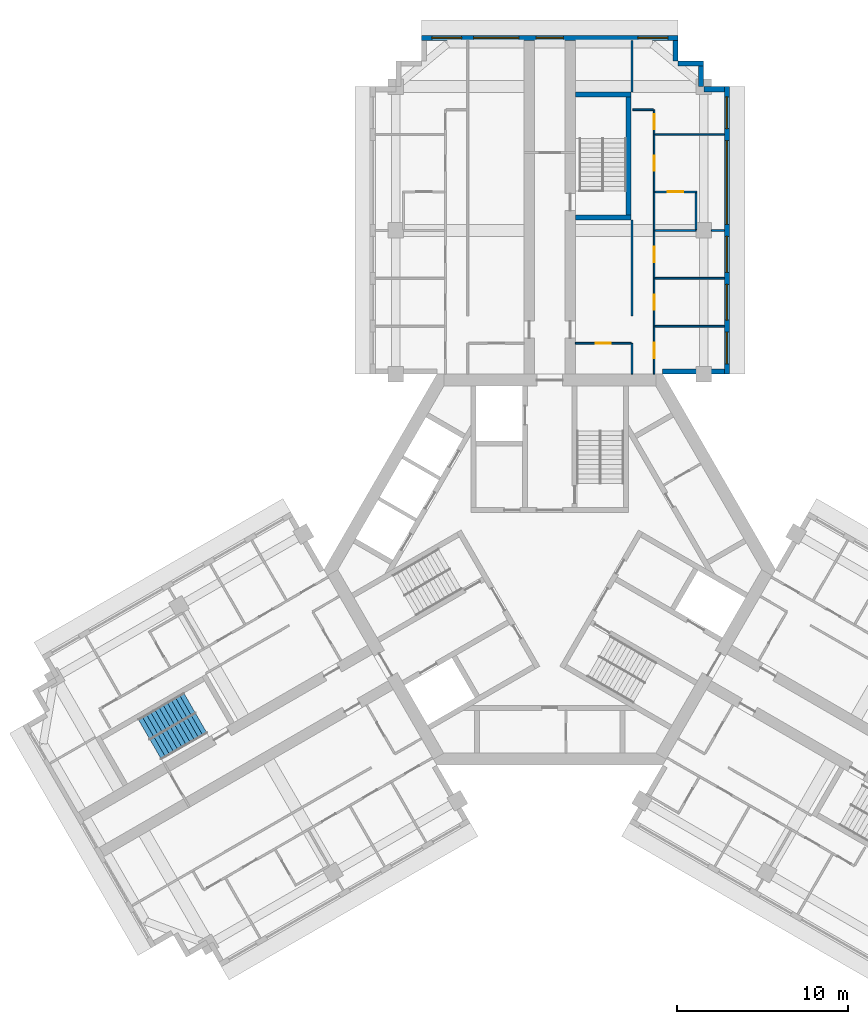
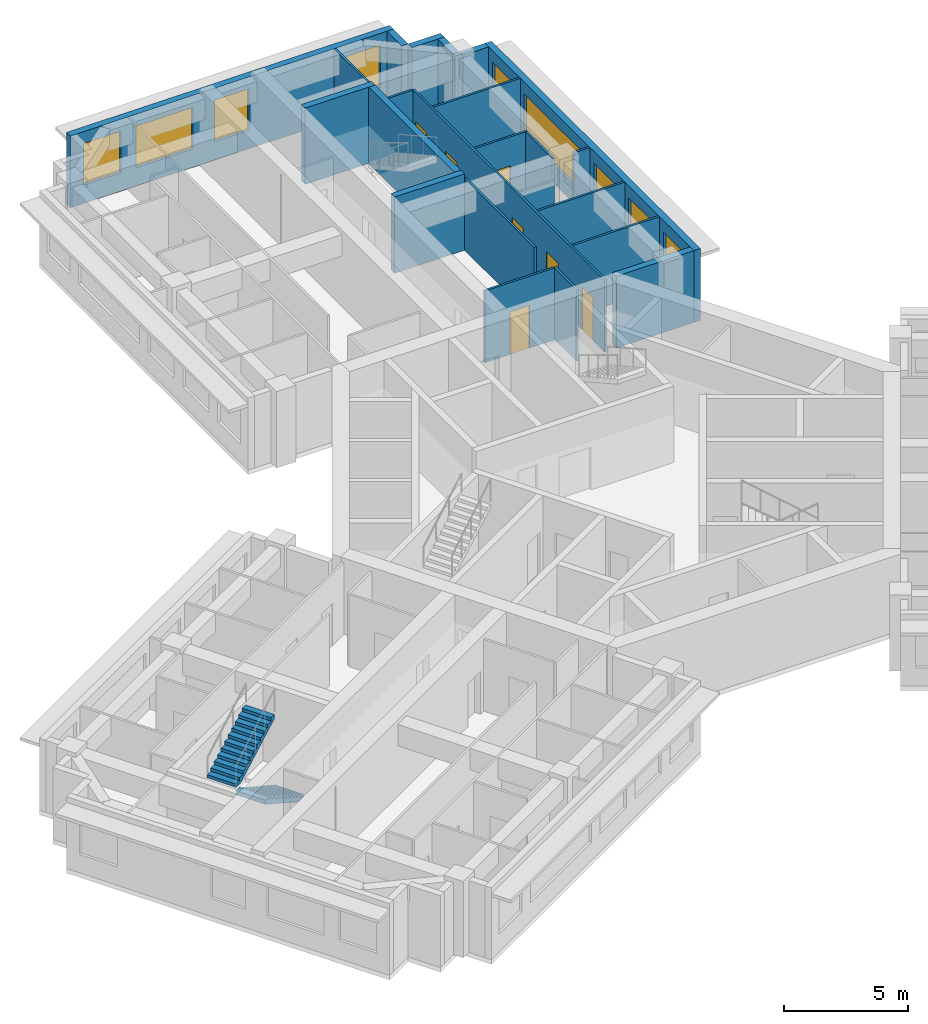
# One storey, part 8 of 10: 23 walls, 9 windows, 7 doors, 2 stair flights, 16 openings, 1 element without a shape of its own.
"""IFC4 building model written with IfcOpenShell, lengths in metres."""

from ifc_helpers import new_model, si_unit, direction, frame, frame_2d, origin, place, context, subcontext, project, spatial, polyline, rectangle, outline, extrude, material, layer, layer_set, type_object, element, fill, aggregate, save


model = new_model("IFC4")

# Units and contexts
model_context = context("Model", 3, precision=1e-05, world=origin(), true_north=direction((0.0, 1.0)))
body_context = subcontext(model_context, "Body", "Model", "MODEL_VIEW")
ifc_project = project(units=[si_unit("LENGTHUNIT", "METRE"), si_unit("AREAUNIT", "SQUARE_METRE"), si_unit("VOLUMEUNIT", "CUBIC_METRE"), si_unit("PLANEANGLEUNIT", "RADIAN"), si_unit("MASSUNIT", "GRAM", prefix="KILO")], contexts=[model_context])

# Site, building, storey
site_placement = place(None, origin())
site = spatial("IfcSite", under=ifc_project, at=site_placement, CompositionType="ELEMENT")
building_placement = place(site_placement, origin())
building = spatial("IfcBuilding", under=site, at=building_placement, Name="Impinga Residences", CompositionType="ELEMENT")
storey_placement = place(building_placement, frame((0.0, 0.0, 267.25)))
storey = spatial("IfcBuildingStorey", under=building, at=storey_placement, Name="L67", CompositionType="ELEMENT", Elevation=267.25)

# Wall, openings, windows
ifc_material_1 = material(Name="Terracotta rainscreen on blockwork", Category="masonry")
ifc_layer_1 = layer(ifc_material_1, 0.300048828125)
ifc_layer_set_1 = layer_set([ifc_layer_1], Name="EW1 external wall, terracotta rainscreen on blockwork 300")
wall_type_1 = type_object("IfcWallType", Name="EW1 external wall, terracotta rainscreen on blockwork 300", PredefinedType="SOLIDWALL", material=ifc_layer_set_1)
wall_1_placement = place(storey_placement, frame((-7.5, 31.08154296875, 0.0), z_axis=(0.0, 0.0, 1.0), x_axis=(1.0, 0.0, 0.0)))
wall_1 = element("IfcWall", 1, at=wall_1_placement, inside=storey, type_object=wall_type_1, Name="External wall EW1 L67", PredefinedType="SOLIDWALL", context=body_context, shape_type="SweptSolid", body=[
    extrude(rectangle(XDim=15.0, YDim=0.300048828125, at=frame_2d((7.5, 0.0))), origin(), (0.0, 0.0, 1.0), 3.530029296875),
])
opening_1_placement = place(wall_1_placement, frame((0.60009765625, 0.0, 0.89990234375)))
opening_1 = element("IfcOpeningElement", 2, at=opening_1_placement, cuts=wall_1, Name="Opening W1", PredefinedType="OPENING", context=body_context, shape_type="SweptSolid", body=[
    extrude(rectangle(XDim=1.75, YDim=2.050048828125, at=frame_2d((0.875, 1.02490234375))), frame((0.0, 0.159912109375, 0.0), z_axis=(0.0, -1.0, 0.0), x_axis=(1.0, 0.0, 0.0)), (0.0, 0.0, 1.0), 0.320068359375),
])
opening_2_placement = place(wall_1_placement, frame((3.050048828125, 0.0, 0.89990234375)))
opening_2 = element("IfcOpeningElement", 3, at=opening_2_placement, cuts=wall_1, Name="Opening W18", PredefinedType="OPENING", context=body_context, shape_type="SweptSolid", body=[
    extrude(rectangle(XDim=2.64990234375, YDim=2.050048828125, at=frame_2d((1.324951171875, 1.02490234375))), frame((0.0, 0.159912109375, 0.0), z_axis=(0.0, -1.0, 0.0), x_axis=(1.0, 0.0, 0.0)), (0.0, 0.0, 1.0), 0.320068359375),
])
opening_3_placement = place(wall_1_placement, frame((6.699951171875, 0.0, 0.89990234375)))
opening_3 = element("IfcOpeningElement", 4, at=opening_3_placement, cuts=wall_1, Name="Opening W19", PredefinedType="OPENING", context=body_context, shape_type="SweptSolid", body=[
    extrude(rectangle(XDim=1.60009765625, YDim=2.050048828125, at=frame_2d((0.800048828125, 1.02490234375))), frame((0.0, 0.159912109375, 0.0), z_axis=(0.0, -1.0, 0.0), x_axis=(1.0, 0.0, 0.0)), (0.0, 0.0, 1.0), 0.320068359375),
])
opening_4_placement = place(wall_1_placement, frame((12.64990234375, 0.0, 0.89990234375)))
opening_4 = element("IfcOpeningElement", 5, at=opening_4_placement, cuts=wall_1, Name="Opening W1", PredefinedType="OPENING", context=body_context, shape_type="SweptSolid", body=[
    extrude(rectangle(XDim=1.75, YDim=2.050048828125, at=frame_2d((0.875, 1.02490234375))), frame((0.0, 0.159912109375, 0.0), z_axis=(0.0, -1.0, 0.0), x_axis=(1.0, 0.0, 0.0)), (0.0, 0.0, 1.0), 0.320068359375),
])
ifc_material_2 = material(Name="Aluminium window, clear double glazing", Category="aluminium")
window_type_1 = type_object("IfcWindowType", Name="W1 ribbon window 1750x2050", PartitioningType="SINGLE_PANEL", PredefinedType="WINDOW", material=ifc_material_2)
window_1_placement = place(opening_1_placement, origin())
window_1 = element("IfcWindow", 6, at=window_1_placement, inside=storey, type_object=window_type_1, Name="Window L67", OverallHeight=2.050048828125, OverallWidth=1.75, PartitioningType="SINGLE_PANEL", PredefinedType="WINDOW", context=body_context, shape_type="SweptSolid", body=[
    extrude(rectangle(XDim=1.75, YDim=2.050048828125, at=frame_2d((0.875, 1.02490234375))), frame((0.0, 0.030029296875, 0.0), z_axis=(0.0, -1.0, 0.0), x_axis=(1.0, 0.0, 0.0)), (0.0, 0.0, 1.0), 0.06005859375),
])
fill(opening_1, window_1)
window_2_placement = place(opening_4_placement, origin())
window_2 = element("IfcWindow", 7, at=window_2_placement, inside=storey, type_object=window_type_1, Name="Window L67", OverallHeight=2.050048828125, OverallWidth=1.75, PartitioningType="SINGLE_PANEL", PredefinedType="WINDOW", context=body_context, shape_type="SweptSolid", body=[
    extrude(rectangle(XDim=1.75, YDim=2.050048828125, at=frame_2d((0.875, 1.02490234375))), frame((0.0, 0.030029296875, 0.0), z_axis=(0.0, -1.0, 0.0), x_axis=(1.0, 0.0, 0.0)), (0.0, 0.0, 1.0), 0.06005859375),
])
fill(opening_4, window_2)
window_type_2 = type_object("IfcWindowType", Name="W18 ribbon window 2650x2050", PartitioningType="SINGLE_PANEL", PredefinedType="WINDOW", material=ifc_material_2)
window_3_placement = place(opening_2_placement, origin())
window_3 = element("IfcWindow", 8, at=window_3_placement, inside=storey, type_object=window_type_2, Name="Window L67", OverallHeight=2.050048828125, OverallWidth=2.64990234375, PartitioningType="SINGLE_PANEL", PredefinedType="WINDOW", context=body_context, shape_type="SweptSolid", body=[
    extrude(rectangle(XDim=2.64990234375, YDim=2.050048828125, at=frame_2d((1.324951171875, 1.02490234375))), frame((0.0, 0.030029296875, 0.0), z_axis=(0.0, -1.0, 0.0), x_axis=(1.0, 0.0, 0.0)), (0.0, 0.0, 1.0), 0.06005859375),
])
fill(opening_2, window_3)
window_type_3 = type_object("IfcWindowType", Name="W19 ribbon window 1600x2050", PartitioningType="SINGLE_PANEL", PredefinedType="WINDOW", material=ifc_material_2)
window_4_placement = place(opening_3_placement, origin())
window_4 = element("IfcWindow", 9, at=window_4_placement, inside=storey, type_object=window_type_3, Name="Window L67", OverallHeight=2.050048828125, OverallWidth=1.60009765625, PartitioningType="SINGLE_PANEL", PredefinedType="WINDOW", context=body_context, shape_type="SweptSolid", body=[
    extrude(rectangle(XDim=1.60009765625, YDim=2.050048828125, at=frame_2d((0.800048828125, 1.02490234375))), frame((0.0, 0.030029296875, 0.0), z_axis=(0.0, -1.0, 0.0), x_axis=(1.0, 0.0, 0.0)), (0.0, 0.0, 1.0), 0.06005859375),
])
fill(opening_3, window_4)

# Walls
wall_2_placement = place(storey_placement, frame((7.35009765625, 30.931640625, 0.0), z_axis=(0.0, 0.0, 1.0), x_axis=(0.0, -1.0, 0.0)))
element("IfcWall", 10, at=wall_2_placement, inside=storey, type_object=wall_type_1, Name="External wall EW1 L67", PredefinedType="SOLIDWALL", context=body_context, shape_type="SweptSolid", body=[
    extrude(rectangle(XDim=1.195068359375, YDim=0.300048828125, at=frame_2d((0.59765625, 0.0))), origin(), (0.0, 0.0, 1.0), 3.530029296875),
])
wall_3_placement = place(storey_placement, frame((7.5, 29.58154296875, 0.0), z_axis=(0.0, 0.0, 1.0), x_axis=(1.0, 0.0, 0.0)))
element("IfcWall", 11, at=wall_3_placement, inside=storey, type_object=wall_type_1, Name="External wall EW1 L67", PredefinedType="SOLIDWALL", context=body_context, shape_type="SweptSolid", body=[
    extrude(rectangle(XDim=1.5, YDim=0.300048828125, at=frame_2d((0.75, 0.0))), origin(), (0.0, 0.0, 1.0), 3.530029296875),
])
wall_4_placement = place(storey_placement, frame((8.85009765625, 29.431640625, 0.0), z_axis=(0.0, 0.0, 1.0), x_axis=(0.0, -1.0, 0.0)))
element("IfcWall", 12, at=wall_4_placement, inside=storey, type_object=wall_type_1, Name="External wall EW1 L67", PredefinedType="SOLIDWALL", context=body_context, shape_type="SweptSolid", body=[
    extrude(rectangle(XDim=1.2001953125, YDim=0.300048828125, at=frame_2d((0.60009765625, 0.0))), origin(), (0.0, 0.0, 1.0), 3.530029296875),
])
wall_5_placement = place(storey_placement, frame((9.0048828125, 28.08154296875, 0.0), z_axis=(0.0, 0.0, 1.0), x_axis=(1.0, 0.0, 0.0)))
element("IfcWall", 13, at=wall_5_placement, inside=storey, type_object=wall_type_1, Name="External wall EW1 L67", PredefinedType="SOLIDWALL", context=body_context, shape_type="SweptSolid", body=[
    extrude(rectangle(XDim=1.195068359375, YDim=0.300048828125, at=frame_2d((0.59765625, 0.0))), origin(), (0.0, 0.0, 1.0), 3.530029296875),
])

# Wall, openings, windows
wall_6_placement = place(storey_placement, frame((10.35009765625, 28.2314453125, 0.0), z_axis=(0.0, 0.0, 1.0), x_axis=(0.0, -1.0, 0.0)))
wall_6 = element("IfcWall", 14, at=wall_6_placement, inside=storey, type_object=wall_type_1, Name="External wall EW1 L67", PredefinedType="SOLIDWALL", context=body_context, shape_type="SweptSolid", body=[
    extrude(rectangle(XDim=16.7998046875, YDim=0.300048828125, at=frame_2d((8.39990234375, 0.0))), origin(), (0.0, 0.0, 1.0), 3.530029296875),
])
opening_5_placement = place(wall_6_placement, frame((0.60009765625, 0.0, 0.89990234375)))
opening_5 = element("IfcOpeningElement", 15, at=opening_5_placement, cuts=wall_6, Name="Opening W15", PredefinedType="OPENING", context=body_context, shape_type="SweptSolid", body=[
    extrude(rectangle(XDim=1.85009765625, YDim=2.050048828125, at=frame_2d((0.925048828125, 1.02490234375))), frame((0.0, 0.159912109375, 0.0), z_axis=(0.0, -1.0, 0.0), x_axis=(1.0, 0.0, 0.0)), (0.0, 0.0, 1.0), 0.320068359375),
])
opening_6_placement = place(wall_6_placement, frame((3.14990234375, 0.0, 0.89990234375)))
opening_6 = element("IfcOpeningElement", 16, at=opening_6_placement, cuts=wall_6, Name="Opening W16", PredefinedType="OPENING", context=body_context, shape_type="SweptSolid", body=[
    extrude(rectangle(XDim=4.89990234375, YDim=2.050048828125, at=frame_2d((2.449951171875, 1.02490234375))), frame((0.0, 0.159912109375, 0.0), z_axis=(0.0, -1.0, 0.0), x_axis=(1.0, 0.0, 0.0)), (0.0, 0.0, 1.0), 0.320068359375),
])
opening_7_placement = place(wall_6_placement, frame((8.75, 0.0, 0.89990234375)))
opening_7 = element("IfcOpeningElement", 17, at=opening_7_placement, cuts=wall_6, Name="Opening W9", PredefinedType="OPENING", context=body_context, shape_type="SweptSolid", body=[
    extrude(rectangle(XDim=2.10009765625, YDim=2.050048828125, at=frame_2d((1.050048828125, 1.02490234375))), frame((0.0, 0.159912109375, 0.0), z_axis=(0.0, -1.0, 0.0), x_axis=(1.0, 0.0, 0.0)), (0.0, 0.0, 1.0), 0.320068359375),
])
opening_8_placement = place(wall_6_placement, frame((11.550048828125, 0.0, 0.89990234375)))
opening_8 = element("IfcOpeningElement", 18, at=opening_8_placement, cuts=wall_6, Name="Opening W9", PredefinedType="OPENING", context=body_context, shape_type="SweptSolid", body=[
    extrude(rectangle(XDim=2.10009765625, YDim=2.050048828125, at=frame_2d((1.050048828125, 1.02490234375))), frame((0.0, 0.159912109375, 0.0), z_axis=(0.0, -1.0, 0.0), x_axis=(1.0, 0.0, 0.0)), (0.0, 0.0, 1.0), 0.320068359375),
])
opening_9_placement = place(wall_6_placement, frame((14.35009765625, 0.0, 0.89990234375)))
opening_9 = element("IfcOpeningElement", 19, at=opening_9_placement, cuts=wall_6, Name="Opening W15", PredefinedType="OPENING", context=body_context, shape_type="SweptSolid", body=[
    extrude(rectangle(XDim=1.85009765625, YDim=2.050048828125, at=frame_2d((0.925048828125, 1.02490234375))), frame((0.0, 0.159912109375, 0.0), z_axis=(0.0, -1.0, 0.0), x_axis=(1.0, 0.0, 0.0)), (0.0, 0.0, 1.0), 0.320068359375),
])
window_type_4 = type_object("IfcWindowType", Name="W15 ribbon window 1850x2050", PartitioningType="SINGLE_PANEL", PredefinedType="WINDOW", material=ifc_material_2)
window_5_placement = place(opening_5_placement, origin())
window_5 = element("IfcWindow", 20, at=window_5_placement, inside=storey, type_object=window_type_4, Name="Window L67", OverallHeight=2.050048828125, OverallWidth=1.85009765625, PartitioningType="SINGLE_PANEL", PredefinedType="WINDOW", context=body_context, shape_type="SweptSolid", body=[
    extrude(rectangle(XDim=1.85009765625, YDim=2.050048828125, at=frame_2d((0.925048828125, 1.02490234375))), frame((0.0, 0.030029296875, 0.0), z_axis=(0.0, -1.0, 0.0), x_axis=(1.0, 0.0, 0.0)), (0.0, 0.0, 1.0), 0.06005859375),
])
fill(opening_5, window_5)
window_6_placement = place(opening_9_placement, origin())
window_6 = element("IfcWindow", 21, at=window_6_placement, inside=storey, type_object=window_type_4, Name="Window L67", OverallHeight=2.050048828125, OverallWidth=1.85009765625, PartitioningType="SINGLE_PANEL", PredefinedType="WINDOW", context=body_context, shape_type="SweptSolid", body=[
    extrude(rectangle(XDim=1.85009765625, YDim=2.050048828125, at=frame_2d((0.925048828125, 1.02490234375))), frame((0.0, 0.030029296875, 0.0), z_axis=(0.0, -1.0, 0.0), x_axis=(1.0, 0.0, 0.0)), (0.0, 0.0, 1.0), 0.06005859375),
])
fill(opening_9, window_6)
window_type_5 = type_object("IfcWindowType", Name="W16 ribbon window 4900x2050", PartitioningType="SINGLE_PANEL", PredefinedType="WINDOW", material=ifc_material_2)
window_7_placement = place(opening_6_placement, origin())
window_7 = element("IfcWindow", 22, at=window_7_placement, inside=storey, type_object=window_type_5, Name="Window L67", OverallHeight=2.050048828125, OverallWidth=4.89990234375, PartitioningType="SINGLE_PANEL", PredefinedType="WINDOW", context=body_context, shape_type="SweptSolid", body=[
    extrude(rectangle(XDim=4.89990234375, YDim=2.050048828125, at=frame_2d((2.449951171875, 1.02490234375))), frame((0.0, 0.030029296875, 0.0), z_axis=(0.0, -1.0, 0.0), x_axis=(1.0, 0.0, 0.0)), (0.0, 0.0, 1.0), 0.06005859375),
])
fill(opening_6, window_7)
window_type_6 = type_object("IfcWindowType", Name="W9 ribbon window 2100x2050", PartitioningType="SINGLE_PANEL", PredefinedType="WINDOW", material=ifc_material_2)
window_8_placement = place(opening_7_placement, origin())
window_8 = element("IfcWindow", 23, at=window_8_placement, inside=storey, type_object=window_type_6, Name="Window L67", OverallHeight=2.050048828125, OverallWidth=2.10009765625, PartitioningType="SINGLE_PANEL", PredefinedType="WINDOW", context=body_context, shape_type="SweptSolid", body=[
    extrude(rectangle(XDim=2.10009765625, YDim=2.050048828125, at=frame_2d((1.050048828125, 1.02490234375))), frame((0.0, 0.030029296875, 0.0), z_axis=(0.0, -1.0, 0.0), x_axis=(1.0, 0.0, 0.0)), (0.0, 0.0, 1.0), 0.06005859375),
])
fill(opening_7, window_8)
window_9_placement = place(opening_8_placement, origin())
window_9 = element("IfcWindow", 24, at=window_9_placement, inside=storey, type_object=window_type_6, Name="Window L67", OverallHeight=2.050048828125, OverallWidth=2.10009765625, PartitioningType="SINGLE_PANEL", PredefinedType="WINDOW", context=body_context, shape_type="SweptSolid", body=[
    extrude(rectangle(XDim=2.10009765625, YDim=2.050048828125, at=frame_2d((1.050048828125, 1.02490234375))), frame((0.0, 0.030029296875, 0.0), z_axis=(0.0, -1.0, 0.0), x_axis=(1.0, 0.0, 0.0)), (0.0, 0.0, 1.0), 0.06005859375),
])
fill(opening_8, window_9)

# Walls
wall_7_placement = place(storey_placement, frame((10.199951171875, 11.58154296875, 0.0), z_axis=(0.0, 0.0, 1.0), x_axis=(-1.0, 0.0, 0.0)))
element("IfcWall", 25, at=wall_7_placement, inside=storey, type_object=wall_type_1, Name="External wall EW1 L67", PredefinedType="SOLIDWALL", context=body_context, shape_type="SweptSolid", body=[
    extrude(rectangle(XDim=3.599853515625, YDim=0.300048828125, at=frame_2d((1.7998046875, 0.0))), origin(), (0.0, 0.0, 1.0), 3.530029296875),
])
ifc_material_3 = material(Name="Gypsum board on steel studs", Category="steel")
ifc_layer_2 = layer(ifc_material_3, 0.10009765625)
ifc_layer_set_2 = layer_set([ifc_layer_2], Name="Gypsum board on steel studs")
wall_type_2 = type_object("IfcWallType", Name="IP1 partition 100", PredefinedType="PARTITIONING", material=ifc_layer_set_2)
wall_8_placement = place(storey_placement, frame((4.800048828125, 11.431640625, 0.0), z_axis=(0.0, 0.0, 1.0), x_axis=(0.0, 1.0, 0.0)))
element("IfcWall", 26, at=wall_8_placement, inside=storey, type_object=wall_type_2, Name="Partition L67-NF1:DIV0", PredefinedType="PARTITIONING", context=body_context, shape_type="SweptSolid", body=[
    extrude(rectangle(XDim=1.7998046875, YDim=0.10009765625, at=frame_2d((0.89990234375, 0.0))), origin(), (0.0, 0.0, 1.0), 3.530029296875),
])
wall_9_placement = place(storey_placement, frame((4.800048828125, 14.83154296875, 0.0), z_axis=(0.0, 0.0, 1.0), x_axis=(0.0, 1.0, 0.0)))
element("IfcWall", 27, at=wall_9_placement, inside=storey, type_object=wall_type_2, Name="Partition L67-NF1:DIV1", PredefinedType="PARTITIONING", context=body_context, shape_type="SweptSolid", body=[
    extrude(rectangle(XDim=5.60009765625, YDim=0.10009765625, at=frame_2d((2.800048828125, 0.0))), origin(), (0.0, 0.0, 1.0), 3.530029296875),
])
wall_10_placement = place(storey_placement, frame((4.800048828125, 27.931640625, 0.0), z_axis=(0.0, 0.0, 1.0), x_axis=(0.0, 1.0, 0.0)))
element("IfcWall", 28, at=wall_10_placement, inside=storey, type_object=wall_type_2, Name="Partition L67-NF1:DIV2", PredefinedType="PARTITIONING", context=body_context, shape_type="SweptSolid", body=[
    extrude(rectangle(XDim=3.0, YDim=0.10009765625, at=frame_2d((1.5, 0.0))), origin(), (0.0, 0.0, 1.0), 3.530029296875),
])

# Wall, openings, doors
wall_11_placement = place(storey_placement, frame((6.10009765625, 11.431640625, 0.0), z_axis=(0.0, 0.0, 1.0), x_axis=(0.0, 1.0, 0.0)))
wall_11 = element("IfcWall", 29, at=wall_11_placement, inside=storey, type_object=wall_type_2, Name="Partition L67-NF1:STRIP", PredefinedType="PARTITIONING", context=body_context, shape_type="SweptSolid", body=[
    extrude(rectangle(XDim=15.449951171875, YDim=0.10009765625, at=frame_2d((7.72509765625, 0.0))), origin(), (0.0, 0.0, 1.0), 3.530029296875),
])
opening_10_placement = place(wall_11_placement, frame((0.925048828125, 0.0, 0.0)))
opening_10 = element("IfcOpeningElement", 30, at=opening_10_placement, cuts=wall_11, Name="Opening D2", PredefinedType="OPENING", context=body_context, shape_type="SweptSolid", body=[
    extrude(rectangle(XDim=0.89990234375, YDim=2.10009765625, at=frame_2d((0.449951171875, 1.050048828125))), frame((0.0, 0.06005859375, 0.0), z_axis=(0.0, -1.0, 0.0), x_axis=(1.0, 0.0, 0.0)), (0.0, 0.0, 1.0), 0.1201171875),
])
opening_11_placement = place(wall_11_placement, frame((3.75, 0.0, 0.0)))
opening_11 = element("IfcOpeningElement", 31, at=opening_11_placement, cuts=wall_11, Name="Opening D2", PredefinedType="OPENING", context=body_context, shape_type="SweptSolid", body=[
    extrude(rectangle(XDim=0.89990234375, YDim=2.10009765625, at=frame_2d((0.449951171875, 1.050048828125))), frame((0.0, 0.06005859375, 0.0), z_axis=(0.0, -1.0, 0.0), x_axis=(1.0, 0.0, 0.0)), (0.0, 0.0, 1.0), 0.1201171875),
])
opening_12_placement = place(wall_11_placement, frame((6.550048828125, 0.0, 0.0)))
opening_12 = element("IfcOpeningElement", 32, at=opening_12_placement, cuts=wall_11, Name="Opening D2", PredefinedType="OPENING", context=body_context, shape_type="SweptSolid", body=[
    extrude(rectangle(XDim=0.89990234375, YDim=2.10009765625, at=frame_2d((0.449951171875, 1.050048828125))), frame((0.0, 0.06005859375, 0.0), z_axis=(0.0, -1.0, 0.0), x_axis=(1.0, 0.0, 0.0)), (0.0, 0.0, 1.0), 0.1201171875),
])
opening_13_placement = place(wall_11_placement, frame((11.875, 0.0, 0.0)))
opening_13 = element("IfcOpeningElement", 33, at=opening_13_placement, cuts=wall_11, Name="Opening D2", PredefinedType="OPENING", context=body_context, shape_type="SweptSolid", body=[
    extrude(rectangle(XDim=0.89990234375, YDim=2.10009765625, at=frame_2d((0.449951171875, 1.050048828125))), frame((0.0, 0.06005859375, 0.0), z_axis=(0.0, -1.0, 0.0), x_axis=(1.0, 0.0, 0.0)), (0.0, 0.0, 1.0), 0.1201171875),
])
opening_14_placement = place(wall_11_placement, frame((14.300048828125, 0.0, 0.0)))
opening_14 = element("IfcOpeningElement", 34, at=opening_14_placement, cuts=wall_11, Name="Opening D2", PredefinedType="OPENING", context=body_context, shape_type="SweptSolid", body=[
    extrude(rectangle(XDim=0.89990234375, YDim=2.10009765625, at=frame_2d((0.449951171875, 1.050048828125))), frame((0.0, 0.06005859375, 0.0), z_axis=(0.0, -1.0, 0.0), x_axis=(1.0, 0.0, 0.0)), (0.0, 0.0, 1.0), 0.1201171875),
])
ifc_material_4 = material(Name="Timber door set", Category="wood")
door_type = type_object("IfcDoorType", Name="D2 internal door 900x2100", OperationType="SINGLE_SWING_LEFT", PredefinedType="DOOR", material=ifc_material_4)
door_1_placement = place(opening_10_placement, origin())
door_1 = element("IfcDoor", 35, at=door_1_placement, inside=storey, type_object=door_type, Name="Apartment L67-NF1 room door", OperationType="SINGLE_SWING_LEFT", OverallHeight=2.10009765625, OverallWidth=0.89990234375, PredefinedType="DOOR", context=body_context, shape_type="SweptSolid", body=[
    extrude(rectangle(XDim=0.89990234375, YDim=2.10009765625, at=frame_2d((0.449951171875, 1.050048828125))), frame((0.0, 0.02490234375, 0.0), z_axis=(0.0, -1.0, 0.0), x_axis=(1.0, 0.0, 0.0)), (0.0, 0.0, 1.0), 0.050048828125),
])
fill(opening_10, door_1)
door_2_placement = place(opening_11_placement, origin())
door_2 = element("IfcDoor", 36, at=door_2_placement, inside=storey, type_object=door_type, Name="Apartment L67-NF1 room door", OperationType="SINGLE_SWING_LEFT", OverallHeight=2.10009765625, OverallWidth=0.89990234375, PredefinedType="DOOR", context=body_context, shape_type="SweptSolid", body=[
    extrude(rectangle(XDim=0.89990234375, YDim=2.10009765625, at=frame_2d((0.449951171875, 1.050048828125))), frame((0.0, 0.02490234375, 0.0), z_axis=(0.0, -1.0, 0.0), x_axis=(1.0, 0.0, 0.0)), (0.0, 0.0, 1.0), 0.050048828125),
])
fill(opening_11, door_2)
door_3_placement = place(opening_12_placement, origin())
door_3 = element("IfcDoor", 37, at=door_3_placement, inside=storey, type_object=door_type, Name="Apartment L67-NF1 room door", OperationType="SINGLE_SWING_LEFT", OverallHeight=2.10009765625, OverallWidth=0.89990234375, PredefinedType="DOOR", context=body_context, shape_type="SweptSolid", body=[
    extrude(rectangle(XDim=0.89990234375, YDim=2.10009765625, at=frame_2d((0.449951171875, 1.050048828125))), frame((0.0, 0.02490234375, 0.0), z_axis=(0.0, -1.0, 0.0), x_axis=(1.0, 0.0, 0.0)), (0.0, 0.0, 1.0), 0.050048828125),
])
fill(opening_12, door_3)
door_4_placement = place(opening_13_placement, origin())
door_4 = element("IfcDoor", 38, at=door_4_placement, inside=storey, type_object=door_type, Name="Apartment L67-NF1 room door", OperationType="SINGLE_SWING_RIGHT", OverallHeight=2.10009765625, OverallWidth=0.89990234375, PredefinedType="DOOR", context=body_context, shape_type="SweptSolid", body=[
    extrude(rectangle(XDim=0.89990234375, YDim=2.10009765625, at=frame_2d((0.449951171875, 1.050048828125))), frame((0.0, 0.02490234375, 0.0), z_axis=(0.0, -1.0, 0.0), x_axis=(1.0, 0.0, 0.0)), (0.0, 0.0, 1.0), 0.050048828125),
])
fill(opening_13, door_4)
door_5_placement = place(opening_14_placement, origin())
door_5 = element("IfcDoor", 39, at=door_5_placement, inside=storey, type_object=door_type, Name="Apartment L67-NF1 room door", OperationType="SINGLE_SWING_RIGHT", OverallHeight=2.10009765625, OverallWidth=0.89990234375, PredefinedType="DOOR", context=body_context, shape_type="SweptSolid", body=[
    extrude(rectangle(XDim=0.89990234375, YDim=2.10009765625, at=frame_2d((0.449951171875, 1.050048828125))), frame((0.0, 0.02490234375, 0.0), z_axis=(0.0, -1.0, 0.0), x_axis=(1.0, 0.0, 0.0)), (0.0, 0.0, 1.0), 0.050048828125),
])
fill(opening_14, door_5)

# Wall
wall_12_placement = place(storey_placement, frame((4.85009765625, 26.881591796875, 0.0), z_axis=(0.0, 0.0, 1.0), x_axis=(1.0, 0.0, 0.0)))
element("IfcWall", 40, at=wall_12_placement, inside=storey, type_object=wall_type_2, Name="Partition L67-NF1:SE1", PredefinedType="PARTITIONING", context=body_context, shape_type="SweptSolid", body=[
    extrude(rectangle(XDim=1.199951171875, YDim=0.10009765625, at=frame_2d((0.60009765625, 0.0))), origin(), (0.0, 0.0, 1.0), 3.530029296875),
])

# Wall, opening, door
wall_13_placement = place(storey_placement, frame((1.5, 13.2314453125, 0.0), z_axis=(0.0, 0.0, 1.0), x_axis=(1.0, 0.0, 0.0)))
wall_13 = element("IfcWall", 41, at=wall_13_placement, inside=storey, type_object=wall_type_2, Name="Partition L67-NF1:IB1", PredefinedType="PARTITIONING", context=body_context, shape_type="SweptSolid", body=[
    extrude(rectangle(XDim=3.25, YDim=0.10009765625, at=frame_2d((1.625, 0.0))), origin(), (0.0, 0.0, 1.0), 3.530029296875),
])
opening_15_placement = place(wall_13_placement, frame((1.175048828125, 0.0, 0.0)))
opening_15 = element("IfcOpeningElement", 42, at=opening_15_placement, cuts=wall_13, Name="Opening D2", PredefinedType="OPENING", context=body_context, shape_type="SweptSolid", body=[
    extrude(rectangle(XDim=0.89990234375, YDim=2.10009765625, at=frame_2d((0.449951171875, 1.050048828125))), frame((0.0, 0.06005859375, 0.0), z_axis=(0.0, -1.0, 0.0), x_axis=(1.0, 0.0, 0.0)), (0.0, 0.0, 1.0), 0.1201171875),
])
door_6_placement = place(opening_15_placement, origin())
door_6 = element("IfcDoor", 43, at=door_6_placement, inside=storey, type_object=door_type, Name="Apartment L67-NF1 bathroom door", OperationType="SINGLE_SWING_LEFT", OverallHeight=2.10009765625, OverallWidth=0.89990234375, PredefinedType="DOOR", context=body_context, shape_type="SweptSolid", body=[
    extrude(rectangle(XDim=0.89990234375, YDim=2.10009765625, at=frame_2d((0.449951171875, 1.050048828125))), frame((0.0, 0.02490234375, 0.0), z_axis=(0.0, -1.0, 0.0), x_axis=(1.0, 0.0, 0.0)), (0.0, 0.0, 1.0), 0.050048828125),
])
fill(opening_15, door_6)

# Walls
for number, where, z_axis, x_axis, name in (
    (44, (6.14990234375, 14.2314453125, 0.0), (0.0, 0.0, 1.0), (1.0, 0.0, 0.0), "Partition L67-NF1:OB1"),
    (45, (6.14990234375, 17.031494140625, 0.0), (0.0, 0.0, 1.0), (1.0, 0.0, 0.0), "Partition L67-NF1:OB2"),
):
    element("IfcWall", number, at=place(storey_placement, frame(where, z_axis=z_axis, x_axis=x_axis)), inside=storey, type_object=wall_type_2, Name=name, PredefinedType="PARTITIONING", context=body_context, shape_type="SweptSolid", body=[
        extrude(rectangle(XDim=4.050048828125, YDim=0.10009765625, at=frame_2d((2.02490234375, 0.0))), origin(), (0.0, 0.0, 1.0), 3.530029296875),
    ])
wall_14_placement = place(storey_placement, frame((6.14990234375, 19.83154296875, 0.0), z_axis=(0.0, 0.0, 1.0), x_axis=(1.0, 0.0, 0.0)))
element("IfcWall", 46, at=wall_14_placement, inside=storey, type_object=wall_type_2, Name="Partition L67-NF1:OB3", PredefinedType="PARTITIONING", context=body_context, shape_type="SweptSolid", body=[
    extrude(rectangle(XDim=2.400146484375, YDim=0.10009765625, at=frame_2d((1.2001953125, 0.0))), origin(), (0.0, 0.0, 1.0), 2.47998046875),
])
wall_15_placement = place(storey_placement, frame((9.449951171875, 19.83154296875, 0.0), z_axis=(0.0, 0.0, 1.0), x_axis=(1.0, 0.0, 0.0)))
element("IfcWall", 47, at=wall_15_placement, inside=storey, type_object=wall_type_2, Name="Partition L67-NF1:OB3b", PredefinedType="PARTITIONING", context=body_context, shape_type="SweptSolid", body=[
    extrude(rectangle(XDim=0.75, YDim=0.10009765625, at=frame_2d((0.375, 0.0))), origin(), (0.0, 0.0, 1.0), 3.530029296875),
])
wall_16_placement = place(storey_placement, frame((6.14990234375, 25.431640625, 0.0), z_axis=(0.0, 0.0, 1.0), x_axis=(1.0, 0.0, 0.0)))
element("IfcWall", 48, at=wall_16_placement, inside=storey, type_object=wall_type_2, Name="Partition L67-NF1:OB4", PredefinedType="PARTITIONING", context=body_context, shape_type="SweptSolid", body=[
    extrude(rectangle(XDim=4.050048828125, YDim=0.10009765625, at=frame_2d((2.02490234375, 0.0))), origin(), (0.0, 0.0, 1.0), 3.530029296875),
])

# Wall, opening, door
wall_17_placement = place(storey_placement, frame((6.14990234375, 22.08154296875, 0.0), z_axis=(0.0, 0.0, 1.0), x_axis=(1.0, 0.0, 0.0)))
wall_17 = element("IfcWall", 49, at=wall_17_placement, inside=storey, type_object=wall_type_2, Name="Partition L67-NF1:EN1", PredefinedType="PARTITIONING", context=body_context, shape_type="SweptSolid", body=[
    extrude(rectangle(XDim=2.4501953125, YDim=0.10009765625, at=frame_2d((1.22509765625, 0.0))), origin(), (0.0, 0.0, 1.0), 3.530029296875),
])
opening_16_placement = place(wall_17_placement, frame((0.75, 0.0, 0.0)))
opening_16 = element("IfcOpeningElement", 50, at=opening_16_placement, cuts=wall_17, Name="Opening D2", PredefinedType="OPENING", context=body_context, shape_type="SweptSolid", body=[
    extrude(rectangle(XDim=0.89990234375, YDim=2.10009765625, at=frame_2d((0.449951171875, 1.050048828125))), frame((0.0, 0.06005859375, 0.0), z_axis=(0.0, -1.0, 0.0), x_axis=(1.0, 0.0, 0.0)), (0.0, 0.0, 1.0), 0.1201171875),
])
door_7_placement = place(opening_16_placement, origin())
door_7 = element("IfcDoor", 51, at=door_7_placement, inside=storey, type_object=door_type, Name="Apartment L67-NF1 en-suite door", OperationType="SINGLE_SWING_LEFT", OverallHeight=2.10009765625, OverallWidth=0.89990234375, PredefinedType="DOOR", context=body_context, shape_type="SweptSolid", body=[
    extrude(rectangle(XDim=0.89990234375, YDim=2.10009765625, at=frame_2d((0.449951171875, 1.050048828125))), frame((0.0, 0.02490234375, 0.0), z_axis=(0.0, -1.0, 0.0), x_axis=(1.0, 0.0, 0.0)), (0.0, 0.0, 1.0), 0.050048828125),
])
fill(opening_16, door_7)

# Walls
wall_18_placement = place(storey_placement, frame((8.550048828125, 19.881591796875, 0.0), z_axis=(0.0, 0.0, 1.0), x_axis=(0.0, 1.0, 0.0)))
element("IfcWall", 52, at=wall_18_placement, inside=storey, type_object=wall_type_2, Name="Partition L67-NF1:EN2", PredefinedType="PARTITIONING", context=body_context, shape_type="SweptSolid", body=[
    extrude(rectangle(XDim=2.14990234375, YDim=0.10009765625, at=frame_2d((1.074951171875, 0.0))), origin(), (0.0, 0.0, 1.0), 3.530029296875),
])
ifc_material_5 = material(Name="Concrete C60/75", Category="concrete")
ifc_layer_3 = layer(ifc_material_5, 0.300048828125)
ifc_layer_set_3 = layer_set([ifc_layer_3], Name="Concrete C60/75")
wall_type_3 = type_object("IfcWallType", Name="SE1 wing stair enclosure wall 300", PredefinedType="SOLIDWALL", material=ifc_layer_set_3)
for number, where, z_axis, x_axis, name in (
    (53, (1.5, 20.58154296875, 0.0), (0.0, 0.0, 1.0), (1.0, 0.0, 0.0), "Stair enclosure wall SE1 N END0 L67"),
    (54, (1.5, 27.781494140625, 0.0), (0.0, 0.0, 1.0), (1.0, 0.0, 0.0), "Stair enclosure wall SE1 N END1 L67"),
):
    element("IfcWall", number, at=place(storey_placement, frame(where, z_axis=z_axis, x_axis=x_axis)), inside=storey, type_object=wall_type_3, Name=name, PredefinedType="SOLIDWALL", context=body_context, shape_type="SweptSolid", body=[
        extrude(rectangle(XDim=3.25, YDim=0.300048828125, at=frame_2d((1.625, 0.0))), origin(), (0.0, 0.0, 1.0), 3.75),
    ])
wall_19_placement = place(storey_placement, frame((4.60009765625, 20.7314453125, 0.0), z_axis=(0.0, 0.0, 1.0), x_axis=(0.0, 1.0, 0.0)))
element("IfcWall", 55, at=wall_19_placement, inside=storey, type_object=wall_type_3, Name="Stair enclosure wall SE1 N OUT L67", PredefinedType="SOLIDWALL", context=body_context, shape_type="SweptSolid", body=[
    extrude(rectangle(XDim=6.900146484375, YDim=0.300048828125, at=frame_2d((3.4501953125, 0.0))), origin(), (0.0, 0.0, 1.0), 3.75),
])

# Stair, stair flights
ifc_material_6 = material(Name="Concrete C40/50", Category="concrete")
stair_type = type_object("IfcStairType", Name="STR wing stair 3750 storey, 24 risers", PredefinedType="HALF_TURN_STAIR", material=ifc_material_6)
stair_placement = place(storey_placement, origin())
stair = element("IfcStair", 56, at=stair_placement, inside=storey, type_object=stair_type, Name="Stair WS2 L67", PredefinedType="HALF_TURN_STAIR")
stair_flight_type = type_object("IfcStairFlightType", Name="SF 12 risers of 156", PredefinedType="STRAIGHT", material=ifc_material_6)
stair_flight_1_placement = place(storey_placement, frame((-20.37890625, -8.965576171875, 0.0), z_axis=(0.0, 0.0, 1.0), x_axis=(-0.866025403784, -0.5, 0.0)))
stair_flight_1 = element("IfcStairFlight", 57, at=stair_flight_1_placement, type_object=stair_flight_type, Name="WS2 flight 1", NumberOfRisers=12, NumberOfTreads=11, PredefinedType="STRAIGHT", RiserHeight=0.15625, TreadLength=0.28, context=body_context, shape_type="SweptSolid", body=[
    extrude(outline(polyline([(0.0, 0.0), (0.0, 0.15625), (0.280029296875, 0.15625), (0.280029296875, 0.3125), (0.56005859375, 0.3125), (0.56005859375, 0.46875), (0.840087890625, 0.46875), (0.840087890625, 0.625), (1.1201171875, 0.625), (1.1201171875, 0.78125), (1.39990234375, 0.78125), (1.39990234375, 0.9375), (1.679931640625, 0.9375), (1.679931640625, 1.09375), (1.9599609375, 1.09375), (1.9599609375, 1.25), (2.239990234375, 1.25), (2.239990234375, 1.40625), (2.52001953125, 1.40625), (2.52001953125, 1.5625), (2.800048828125, 1.5625), (2.800048828125, 1.71875), (3.080078125, 1.71875), (3.080078125, 1.875), (3.080078125, 1.5126953125), (0.369140625, 0.0), (0.0, 0.0)])), frame((0.0, 0.675048828125, 0.0), z_axis=(0.0, -1.0, 0.0), x_axis=(1.0, 0.0, 0.0)), (0.0, 0.0, 1.0), 1.35009765625),
])
stair_flight_2_placement = place(storey_placement, frame((-23.721435546875, -9.33642578125, 1.875), z_axis=(0.0, 0.0, 1.0), x_axis=(0.866025403784, 0.5, 0.0)))
stair_flight_2 = element("IfcStairFlight", 58, at=stair_flight_2_placement, type_object=stair_flight_type, Name="WS2 flight 2", NumberOfRisers=12, NumberOfTreads=11, PredefinedType="STRAIGHT", RiserHeight=0.15625, TreadLength=0.28, context=body_context, shape_type="SweptSolid", body=[
    extrude(outline(polyline([(0.0, 0.0), (0.0, 0.15625), (0.280029296875, 0.15625), (0.280029296875, 0.3125), (0.56005859375, 0.3125), (0.56005859375, 0.46875), (0.840087890625, 0.46875), (0.840087890625, 0.625), (1.1201171875, 0.625), (1.1201171875, 0.78125), (1.39990234375, 0.78125), (1.39990234375, 0.9375), (1.679931640625, 0.9375), (1.679931640625, 1.09375), (1.9599609375, 1.09375), (1.9599609375, 1.25), (2.239990234375, 1.25), (2.239990234375, 1.40625), (2.52001953125, 1.40625), (2.52001953125, 1.5625), (2.800048828125, 1.5625), (2.800048828125, 1.71875), (3.080078125, 1.71875), (3.080078125, 1.875), (3.080078125, 1.5126953125), (0.369140625, 0.0), (0.0, 0.0)])), frame((0.0, 0.675048828125, 0.0), z_axis=(0.0, -1.0, 0.0), x_axis=(1.0, 0.0, 0.0)), (0.0, 0.0, 1.0), 1.35009765625),
])
aggregate(stair, [stair_flight_1, stair_flight_2])

save(model, "model.ifc")
